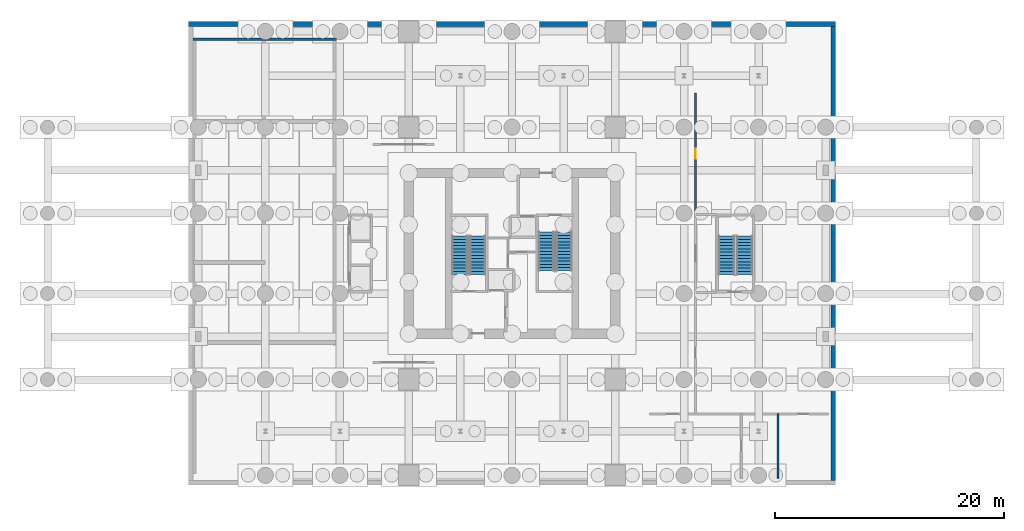
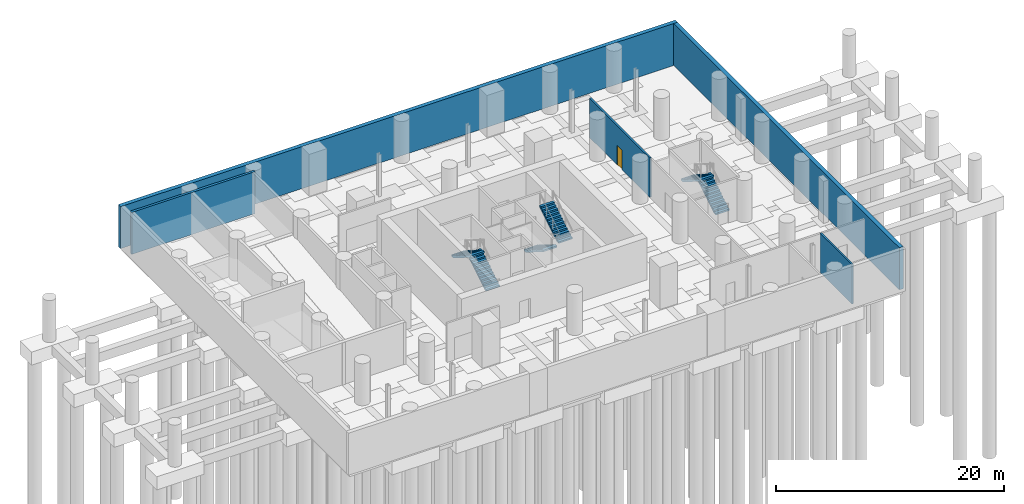
# One storey, part 10 of 12: 6 stair flights, 5 walls, 1 door, 1 opening, 3 elements without a shape of their own.
"""IFC4 building model written with IfcOpenShell, lengths in metres."""

from ifc_helpers import new_model, si_unit, direction, frame, frame_2d, origin, place, context, subcontext, project, spatial, polyline, rectangle, outline, extrude, material, layer, layer_set, type_object, element, fill, aggregate, save


model = new_model("IFC4")

# Units and contexts
model_context = context("Model", 3, precision=1e-05, world=origin(), true_north=direction((0.0, 1.0)))
body_context = subcontext(model_context, "Body", "Model", "MODEL_VIEW")
ifc_project = project(units=[si_unit("LENGTHUNIT", "METRE"), si_unit("AREAUNIT", "SQUARE_METRE"), si_unit("VOLUMEUNIT", "CUBIC_METRE"), si_unit("PLANEANGLEUNIT", "RADIAN"), si_unit("MASSUNIT", "GRAM", prefix="KILO")], contexts=[model_context])

# Site, building, storey
site_placement = place(None, origin())
site = spatial("IfcSite", under=ifc_project, at=site_placement, CompositionType="ELEMENT")
building_placement = place(site_placement, origin())
building = spatial("IfcBuilding", under=site, at=building_placement, Name="Veldorim Arch Residences", CompositionType="ELEMENT")
storey_placement = place(building_placement, frame((0.0, 0.0, -9.0)))
storey = spatial("IfcBuildingStorey", under=building, at=storey_placement, Name="B2", CompositionType="ELEMENT", Elevation=-9.0)

# Walls
ifc_material_1 = material(Name="Concrete C40/50", Category="concrete")
ifc_layer_1 = layer(ifc_material_1, 0.39990234375, Name="Basement Perimeter Retaining Wall 400")
ifc_layer_set_1 = layer_set([ifc_layer_1], Name="Concrete C40/50")
wall_type_1 = type_object("IfcWallType", Name="Basement Perimeter Retaining Wall 400", PredefinedType="USERDEFINED", material=ifc_layer_set_1)
wall_1_placement = place(storey_placement, frame((3.800048828125, 44.0, 0.0), z_axis=(0.0, 0.0, 1.0), x_axis=(1.0, 0.0, 0.0)))
element("IfcWall", 1, at=wall_1_placement, inside=storey, type_object=wall_type_1, Name="B2 north retaining wall", ObjectType="RETAINING WALL", PredefinedType="USERDEFINED", context=body_context, shape_type="SweptSolid", body=[
    extrude(rectangle(XDim=56.39990234375, YDim=0.39990234375, at=frame_2d((28.199951171875, 0.0))), origin(), (0.0, 0.0, 1.0), 4.5),
])
wall_2_placement = place(storey_placement, frame((60.0, 4.199951171875, 0.0), z_axis=(0.0, 0.0, 1.0), x_axis=(0.0, 1.0, 0.0)))
element("IfcWall", 2, at=wall_2_placement, inside=storey, type_object=wall_type_1, Name="B2 east retaining wall", ObjectType="RETAINING WALL", PredefinedType="USERDEFINED", context=body_context, shape_type="SweptSolid", body=[
    extrude(rectangle(XDim=39.60009765625, YDim=0.39990234375, at=frame_2d((19.800048828125, 0.0))), origin(), (0.0, 0.0, 1.0), 4.5),
])

# Wall, opening, door
ifc_material_2 = material(Name="Lightweight Masonry Block & Gypsum", Category="masonry")
ifc_layer_2 = layer(ifc_material_2, 0.179931640625, Name="Compartment & Corridor Fire-Rated Party Wall 180")
ifc_layer_set_2 = layer_set([ifc_layer_2], Name="Lightweight Masonry Block & Gypsum")
wall_type_2 = type_object("IfcWallType", Name="Compartment & Corridor Fire-Rated Party Wall 180", PredefinedType="PARTITIONING", material=ifc_layer_set_2)
wall_3_placement = place(storey_placement, frame((48.0, 38.0, 0.0), z_axis=(0.0, 0.0, 1.0), x_axis=(0.0, -1.0, 0.0)))
wall_3 = element("IfcWall", 3, at=wall_3_placement, inside=storey, type_object=wall_type_2, Name="B2 interior wall WL-BSM-B2-003", PredefinedType="PARTITIONING", context=body_context, shape_type="SweptSolid", body=[
    extrude(rectangle(XDim=10.6201171875, YDim=0.179931640625, at=frame_2d((5.31005859375, 0.0))), origin(), (0.0, 0.0, 1.0), 4.195068359375),
])
opening_placement = place(wall_3_placement, frame((4.860107421875, 0.0, 0.0)))
opening = element("IfcOpeningElement", 4, at=opening_placement, cuts=wall_3, Name="Opening DR-SVC", PredefinedType="OPENING", context=body_context, shape_type="SweptSolid", body=[
    extrude(rectangle(XDim=0.89990234375, YDim=2.10009765625, at=frame_2d((0.449951171875, 1.050048828125))), frame((0.0, 0.099853515625, 0.0), z_axis=(0.0, -1.0, 0.0), x_axis=(1.0, 0.0, 0.0)), (0.0, 0.0, 1.0), 0.199951171875),
])
ifc_material_3 = material(Name="Fire-Rated Steel", Category="steel")
door_type = type_object("IfcDoorType", Name="Riser, Shelter & Plant Room Rated Steel Door 900x2100", OperationType="SINGLE_SWING_LEFT", PredefinedType="DOOR", material=ifc_material_3)
door_placement = place(opening_placement, origin())
door = element("IfcDoor", 5, at=door_placement, inside=storey, type_object=door_type, Name="B2 interior door DR-BSM-B2-005", OperationType="SINGLE_SWING_LEFT", OverallHeight=2.10009765625, OverallWidth=0.89990234375, PredefinedType="DOOR", context=body_context, shape_type="SweptSolid", body=[
    extrude(rectangle(XDim=0.89990234375, YDim=2.10009765625, at=frame_2d((0.449951171875, 1.050048828125))), frame((0.0, 0.02490234375, 0.0), z_axis=(0.0, -1.0, 0.0), x_axis=(1.0, 0.0, 0.0)), (0.0, 0.0, 1.0), 0.050048828125),
])
fill(opening, door)

# Walls
ifc_material_4 = material(Name="Concrete C50/60", Category="concrete")
ifc_layer_3 = layer(ifc_material_4, 0.25, Name="Vehicle Ramp Structural Enclosure Wall 250")
ifc_layer_set_3 = layer_set([ifc_layer_3], Name="Concrete C50/60")
wall_type_3 = type_object("IfcWallType", Name="Vehicle Ramp Structural Enclosure Wall 250", PredefinedType="SHEAR", material=ifc_layer_set_3)
wall_4_placement = place(storey_placement, frame((4.199951171875, 42.675048828125, 0.0), z_axis=(0.0, 0.0, 1.0), x_axis=(1.0, 0.0, 0.0)))
element("IfcWall", 6, at=wall_4_placement, inside=storey, type_object=wall_type_3, Name="B2 ramp north end wall", PredefinedType="SHEAR", context=body_context, shape_type="SweptSolid", body=[
    extrude(rectangle(XDim=12.5, YDim=0.25, at=frame_2d((6.25, 0.0))), origin(), (0.0, 0.0, 1.0), 4.5),
])
ifc_material_5 = material(Name="Moisture-Resistant Gypsum & Stud", Category="gypsum")
ifc_layer_4 = layer(ifc_material_5, 0.159912109375, Name="Wet-Area Moisture-Resistant Plumbing Wall 160")
ifc_layer_set_4 = layer_set([ifc_layer_4], Name="Moisture-Resistant Gypsum & Stud")
wall_type_4 = type_object("IfcWallType", Name="Wet-Area Moisture-Resistant Plumbing Wall 160", PredefinedType="PLUMBINGWALL", material=ifc_layer_set_4)
wall_5_placement = place(storey_placement, frame((55.199951171875, 10.0, 0.0), z_axis=(0.0, 0.0, 1.0), x_axis=(0.0, -1.0, 0.0)))
element("IfcWall", 7, at=wall_5_placement, inside=storey, type_object=wall_type_4, Name="B2 interior wall WL-BSM-B2-005", PredefinedType="PLUMBINGWALL", context=body_context, shape_type="SweptSolid", body=[
    extrude(rectangle(XDim=5.60009765625, YDim=0.159912109375, at=frame_2d((2.800048828125, 0.0))), origin(), (0.0, 0.0, 1.0), 4.195068359375),
])

# Stair, stair flights
ifc_material_6 = material(Name="Concrete C40/50", Category="concrete")
stair_type = type_object("IfcStairType", Name="Reinforced Concrete Dogleg Exit Staircase", PredefinedType="HALF_TURN_STAIR", material=ifc_material_6)
stair_1_placement = place(storey_placement, origin())
stair_1 = element("IfcStair", 8, at=stair_1_placement, inside=storey, type_object=stair_type, Name="B2 Exit Staircase ST-1", PredefinedType="HALF_TURN_STAIR")
ifc_material_7 = material(Name="Concrete C40/50", Category="concrete")
stair_flight_type = type_object("IfcStairFlightType", Name="Reinforced Concrete Stair Flight 1400", PredefinedType="STRAIGHT", material=ifc_material_7)
stair_flight_1_placement = place(storey_placement, frame((29.010009765625, 22.14990234375, 0.0), z_axis=(0.0, 0.0, 1.0), x_axis=(0.0, 1.0, 0.0)))
stair_flight_1 = element("IfcStairFlight", 9, at=stair_flight_1_placement, type_object=stair_flight_type, Name="ST-1 flight 1", NumberOfRisers=13, NumberOfTreads=12, PredefinedType="STRAIGHT", RiserHeight=0.173076923, TreadLength=0.28, context=body_context, shape_type="SweptSolid", body=[
    extrude(outline(polyline([(0.0, 0.0), (0.0, 0.173095703125), (0.280029296875, 0.173095703125), (0.280029296875, 0.34619140625), (0.56005859375, 0.34619140625), (0.56005859375, 0.519287109375), (0.840087890625, 0.519287109375), (0.840087890625, 0.6923828125), (1.1201171875, 0.6923828125), (1.1201171875, 0.865478515625), (1.39990234375, 0.865478515625), (1.39990234375, 1.03857421875), (1.679931640625, 1.03857421875), (1.679931640625, 1.21142578125), (1.9599609375, 1.21142578125), (1.9599609375, 1.384521484375), (2.239990234375, 1.384521484375), (2.239990234375, 1.5576171875), (2.52001953125, 1.5576171875), (2.52001953125, 1.730712890625), (2.800048828125, 1.730712890625), (2.800048828125, 1.90380859375), (3.080078125, 1.90380859375), (3.080078125, 2.076904296875), (3.360107421875, 2.076904296875), (3.360107421875, 2.25), (3.360107421875, 1.888916015625), (0.30419921875, 0.0), (0.0, 0.0)])), frame((0.0, 0.699951171875, 0.0), z_axis=(0.0, -1.0, 0.0), x_axis=(1.0, 0.0, 0.0)), (0.0, 0.0, 1.0), 1.39990234375),
])
stair_flight_2_placement = place(storey_placement, frame((27.449951171875, 25.510009765625, 2.25), z_axis=(0.0, 0.0, 1.0), x_axis=(0.0, -1.0, 0.0)))
stair_flight_2 = element("IfcStairFlight", 10, at=stair_flight_2_placement, type_object=stair_flight_type, Name="ST-1 flight 2", NumberOfRisers=13, NumberOfTreads=12, PredefinedType="STRAIGHT", RiserHeight=0.173076923, TreadLength=0.28, context=body_context, shape_type="SweptSolid", body=[
    extrude(outline(polyline([(0.0, 0.0), (0.0, 0.173095703125), (0.280029296875, 0.173095703125), (0.280029296875, 0.34619140625), (0.56005859375, 0.34619140625), (0.56005859375, 0.519287109375), (0.840087890625, 0.519287109375), (0.840087890625, 0.6923828125), (1.1201171875, 0.6923828125), (1.1201171875, 0.865478515625), (1.39990234375, 0.865478515625), (1.39990234375, 1.03857421875), (1.679931640625, 1.03857421875), (1.679931640625, 1.21142578125), (1.9599609375, 1.21142578125), (1.9599609375, 1.384521484375), (2.239990234375, 1.384521484375), (2.239990234375, 1.5576171875), (2.52001953125, 1.5576171875), (2.52001953125, 1.730712890625), (2.800048828125, 1.730712890625), (2.800048828125, 1.90380859375), (3.080078125, 1.90380859375), (3.080078125, 2.076904296875), (3.360107421875, 2.076904296875), (3.360107421875, 2.25), (3.360107421875, 1.888916015625), (0.30419921875, 0.0), (0.0, 0.0)])), frame((0.0, 0.699951171875, 0.0), z_axis=(0.0, -1.0, 0.0), x_axis=(1.0, 0.0, 0.0)), (0.0, 0.0, 1.0), 1.39990234375),
])
aggregate(stair_1, [stair_flight_1, stair_flight_2])

stair_2_placement = place(storey_placement, origin())
stair_2 = element("IfcStair", 11, at=stair_2_placement, inside=storey, type_object=stair_type, Name="B2 Exit Staircase ST-2", PredefinedType="HALF_TURN_STAIR")
stair_flight_3_placement = place(storey_placement, frame((34.989990234375, 25.85009765625, 0.0), z_axis=(0.0, 0.0, 1.0), x_axis=(0.0, -1.0, 0.0)))
stair_flight_3 = element("IfcStairFlight", 12, at=stair_flight_3_placement, type_object=stair_flight_type, Name="ST-2 flight 1", NumberOfRisers=13, NumberOfTreads=12, PredefinedType="STRAIGHT", RiserHeight=0.173076923, TreadLength=0.28, context=body_context, shape_type="SweptSolid", body=[
    extrude(outline(polyline([(0.0, 0.0), (0.0, 0.173095703125), (0.280029296875, 0.173095703125), (0.280029296875, 0.34619140625), (0.56005859375, 0.34619140625), (0.56005859375, 0.519287109375), (0.840087890625, 0.519287109375), (0.840087890625, 0.6923828125), (1.1201171875, 0.6923828125), (1.1201171875, 0.865478515625), (1.39990234375, 0.865478515625), (1.39990234375, 1.03857421875), (1.679931640625, 1.03857421875), (1.679931640625, 1.21142578125), (1.9599609375, 1.21142578125), (1.9599609375, 1.384521484375), (2.239990234375, 1.384521484375), (2.239990234375, 1.5576171875), (2.52001953125, 1.5576171875), (2.52001953125, 1.730712890625), (2.800048828125, 1.730712890625), (2.800048828125, 1.90380859375), (3.080078125, 1.90380859375), (3.080078125, 2.076904296875), (3.360107421875, 2.076904296875), (3.360107421875, 2.25), (3.360107421875, 1.888916015625), (0.30419921875, 0.0), (0.0, 0.0)])), frame((0.0, 0.699951171875, 0.0), z_axis=(0.0, -1.0, 0.0), x_axis=(1.0, 0.0, 0.0)), (0.0, 0.0, 1.0), 1.39990234375),
])
stair_flight_4_placement = place(storey_placement, frame((36.550048828125, 22.489990234375, 2.25), z_axis=(0.0, 0.0, 1.0), x_axis=(0.0, 1.0, 0.0)))
stair_flight_4 = element("IfcStairFlight", 13, at=stair_flight_4_placement, type_object=stair_flight_type, Name="ST-2 flight 2", NumberOfRisers=13, NumberOfTreads=12, PredefinedType="STRAIGHT", RiserHeight=0.173076923, TreadLength=0.28, context=body_context, shape_type="SweptSolid", body=[
    extrude(outline(polyline([(0.0, 0.0), (0.0, 0.173095703125), (0.280029296875, 0.173095703125), (0.280029296875, 0.34619140625), (0.56005859375, 0.34619140625), (0.56005859375, 0.519287109375), (0.840087890625, 0.519287109375), (0.840087890625, 0.6923828125), (1.1201171875, 0.6923828125), (1.1201171875, 0.865478515625), (1.39990234375, 0.865478515625), (1.39990234375, 1.03857421875), (1.679931640625, 1.03857421875), (1.679931640625, 1.21142578125), (1.9599609375, 1.21142578125), (1.9599609375, 1.384521484375), (2.239990234375, 1.384521484375), (2.239990234375, 1.5576171875), (2.52001953125, 1.5576171875), (2.52001953125, 1.730712890625), (2.800048828125, 1.730712890625), (2.800048828125, 1.90380859375), (3.080078125, 1.90380859375), (3.080078125, 2.076904296875), (3.360107421875, 2.076904296875), (3.360107421875, 2.25), (3.360107421875, 1.888916015625), (0.30419921875, 0.0), (0.0, 0.0)])), frame((0.0, 0.699951171875, 0.0), z_axis=(0.0, -1.0, 0.0), x_axis=(1.0, 0.0, 0.0)), (0.0, 0.0, 1.0), 1.39990234375),
])
aggregate(stair_2, [stair_flight_3, stair_flight_4])

stair_3_placement = place(storey_placement, origin())
stair_3 = element("IfcStair", 14, at=stair_3_placement, inside=storey, type_object=stair_type, Name="B2 Exit Staircase ST-3", PredefinedType="HALF_TURN_STAIR")
stair_flight_5_placement = place(storey_placement, frame((52.260009765625, 22.14990234375, 0.0), z_axis=(0.0, 0.0, 1.0), x_axis=(0.0, 1.0, 0.0)))
stair_flight_5 = element("IfcStairFlight", 15, at=stair_flight_5_placement, type_object=stair_flight_type, Name="ST-3 flight 1", NumberOfRisers=13, NumberOfTreads=12, PredefinedType="STRAIGHT", RiserHeight=0.173076923, TreadLength=0.28, context=body_context, shape_type="SweptSolid", body=[
    extrude(outline(polyline([(0.0, 0.0), (0.0, 0.173095703125), (0.280029296875, 0.173095703125), (0.280029296875, 0.34619140625), (0.56005859375, 0.34619140625), (0.56005859375, 0.519287109375), (0.840087890625, 0.519287109375), (0.840087890625, 0.6923828125), (1.1201171875, 0.6923828125), (1.1201171875, 0.865478515625), (1.39990234375, 0.865478515625), (1.39990234375, 1.03857421875), (1.679931640625, 1.03857421875), (1.679931640625, 1.21142578125), (1.9599609375, 1.21142578125), (1.9599609375, 1.384521484375), (2.239990234375, 1.384521484375), (2.239990234375, 1.5576171875), (2.52001953125, 1.5576171875), (2.52001953125, 1.730712890625), (2.800048828125, 1.730712890625), (2.800048828125, 1.90380859375), (3.080078125, 1.90380859375), (3.080078125, 2.076904296875), (3.360107421875, 2.076904296875), (3.360107421875, 2.25), (3.360107421875, 1.888916015625), (0.30419921875, 0.0), (0.0, 0.0)])), frame((0.0, 0.699951171875, 0.0), z_axis=(0.0, -1.0, 0.0), x_axis=(1.0, 0.0, 0.0)), (0.0, 0.0, 1.0), 1.39990234375),
])
stair_flight_6_placement = place(storey_placement, frame((50.699951171875, 25.510009765625, 2.25), z_axis=(0.0, 0.0, 1.0), x_axis=(0.0, -1.0, 0.0)))
stair_flight_6 = element("IfcStairFlight", 16, at=stair_flight_6_placement, type_object=stair_flight_type, Name="ST-3 flight 2", NumberOfRisers=13, NumberOfTreads=12, PredefinedType="STRAIGHT", RiserHeight=0.173076923, TreadLength=0.28, context=body_context, shape_type="SweptSolid", body=[
    extrude(outline(polyline([(0.0, 0.0), (0.0, 0.173095703125), (0.280029296875, 0.173095703125), (0.280029296875, 0.34619140625), (0.56005859375, 0.34619140625), (0.56005859375, 0.519287109375), (0.840087890625, 0.519287109375), (0.840087890625, 0.6923828125), (1.1201171875, 0.6923828125), (1.1201171875, 0.865478515625), (1.39990234375, 0.865478515625), (1.39990234375, 1.03857421875), (1.679931640625, 1.03857421875), (1.679931640625, 1.21142578125), (1.9599609375, 1.21142578125), (1.9599609375, 1.384521484375), (2.239990234375, 1.384521484375), (2.239990234375, 1.5576171875), (2.52001953125, 1.5576171875), (2.52001953125, 1.730712890625), (2.800048828125, 1.730712890625), (2.800048828125, 1.90380859375), (3.080078125, 1.90380859375), (3.080078125, 2.076904296875), (3.360107421875, 2.076904296875), (3.360107421875, 2.25), (3.360107421875, 1.888916015625), (0.30419921875, 0.0), (0.0, 0.0)])), frame((0.0, 0.699951171875, 0.0), z_axis=(0.0, -1.0, 0.0), x_axis=(1.0, 0.0, 0.0)), (0.0, 0.0, 1.0), 1.39990234375),
])
aggregate(stair_3, [stair_flight_5, stair_flight_6])

save(model, "model.ifc")
